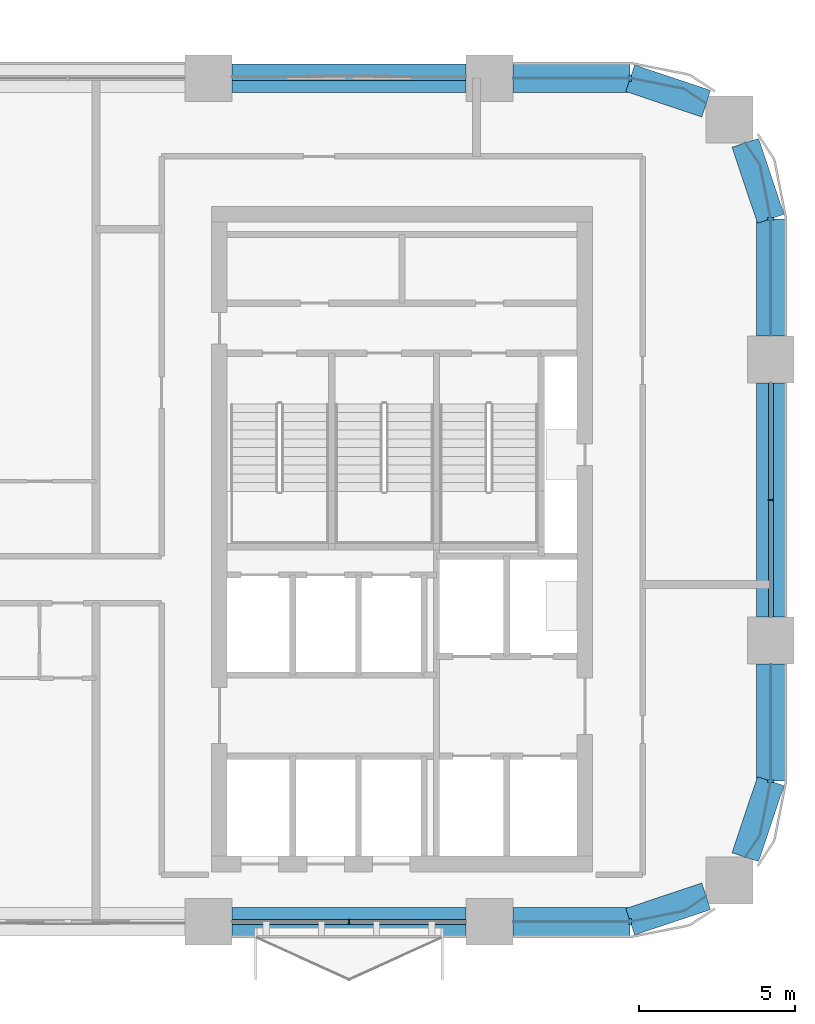
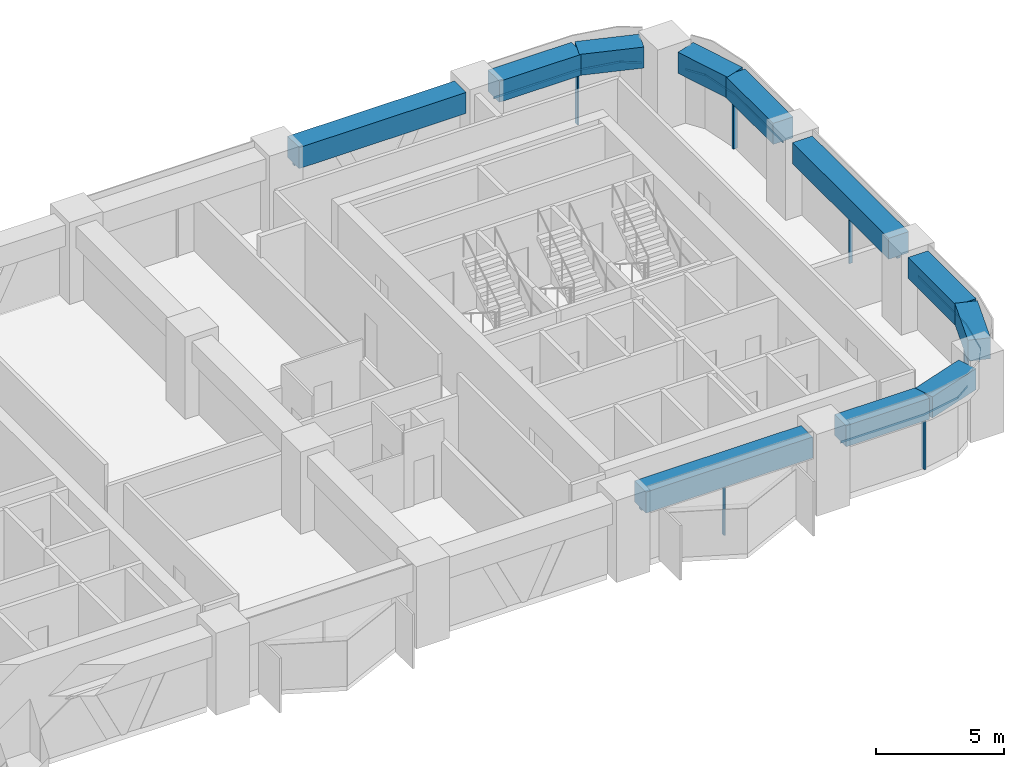
# One storey, part 5 of 13: 13 members, 11 beams, 7 elements without a shape of their own.
"""IFC4 building model written with IfcOpenShell, lengths in metres."""

from ifc_helpers import new_model, si_unit, direction, frame, origin, origin_2d, place, context, subcontext, project, spatial, polyline, rectangle, outline, extrude, material, material_profile, profile_set, type_object, element, aggregate, save


model = new_model("IFC4")

# Units and contexts
model_context = context("Model", 3, precision=1e-05, world=origin(), true_north=direction((0.0, 1.0)))
body_context = subcontext(model_context, "Body", "Model", "MODEL_VIEW")
ifc_project = project(units=[si_unit("LENGTHUNIT", "METRE"), si_unit("AREAUNIT", "SQUARE_METRE"), si_unit("VOLUMEUNIT", "CUBIC_METRE"), si_unit("PLANEANGLEUNIT", "RADIAN"), si_unit("MASSUNIT", "GRAM", prefix="KILO")], contexts=[model_context])

# Site, building, storey
site_placement = place(None, origin())
site = spatial("IfcSite", under=ifc_project, at=site_placement, CompositionType="ELEMENT")
building_placement = place(site_placement, origin())
building = spatial("IfcBuilding", under=site, at=building_placement, Name="Tessera Arch", CompositionType="ELEMENT")
storey_placement = place(building_placement, frame((0.0, 0.0, 189.5)))
storey = spatial("IfcBuildingStorey", under=building, at=storey_placement, Name="L45", CompositionType="ELEMENT", Elevation=189.5)

# Curtain wall, member
ifc_material_1 = material(Name="CW1 curtain wall")
curtain_wall_type_1 = type_object("IfcCurtainWallType", Name="CW1 curtain wall", PredefinedType="NOTDEFINED", material=ifc_material_1)
curtain_wall_1_placement = place(storey_placement, origin())
curtain_wall_1 = element("IfcCurtainWall", 1, at=curtain_wall_1_placement, inside=storey, type_object=curtain_wall_type_1, Name="CW1 curtain wall E54.27/0 L45", PredefinedType="NOTDEFINED")
ifc_material_2 = material(Name="Anodised aluminium pale metal", Category="aluminium")
ifc_material_profile_1 = material_profile(ifc_material_2, rectangle(XDim=0.159912109375, YDim=0.06005859375, at=origin_2d()), Name="AL 60x160")
ifc_profile_set_1 = profile_set([ifc_material_profile_1], Name="Anodised aluminium pale metal")
member_type_1 = type_object("IfcMemberType", Name="CW1 mullion", PredefinedType="MULLION", material=ifc_profile_set_1)
member_1_placement = place(storey_placement, frame((54.0, 40.5, 0.0), z_axis=(0.0, 0.0, 1.0), x_axis=(-1.0, 0.0, 0.0)))
member_1 = element("IfcMember", 2, at=member_1_placement, type_object=member_type_1, Name="CW1 mullion E54.27/0 1", PredefinedType="MULLION", context=body_context, shape_type="SweptSolid", body=[
    extrude(rectangle(XDim=0.159912109375, YDim=0.06005859375, at=origin_2d()), origin(), (0.0, 0.0, 1.0), 2.5),
])

curtain_wall_2_placement = place(storey_placement, origin())
curtain_wall_2 = element("IfcCurtainWall", 3, at=curtain_wall_2_placement, inside=storey, type_object=curtain_wall_type_1, Name="CW1 curtain wall S27.0/4 L45", PredefinedType="NOTDEFINED")
member_2_placement = place(storey_placement, frame((40.5, 27.0, 0.0), z_axis=(0.0, 0.0, 1.0), x_axis=(0.0, 1.0, 0.0)))
member_2 = element("IfcMember", 4, at=member_2_placement, type_object=member_type_1, Name="CW1 mullion S27.0/4 1", PredefinedType="MULLION", context=body_context, shape_type="SweptSolid", body=[
    extrude(rectangle(XDim=0.159912109375, YDim=0.06005859375, at=origin_2d()), origin(), (0.0, 0.0, 1.0), 2.5),
])

# Member
ifc_material_3 = material(Name="Anodised aluminium pale metal", Category="aluminium")
ifc_material_profile_2 = material_profile(ifc_material_3, rectangle(XDim=0.159912109375, YDim=0.10009765625, at=origin_2d()), Name="AL 160x100")
ifc_profile_set_2 = profile_set([ifc_material_profile_2], Name="Anodised aluminium pale metal")
member_type_2 = type_object("IfcMemberType", Name="CW1 transom", PredefinedType="USERDEFINED", material=ifc_profile_set_2)
member_3_placement = place(storey_placement, frame((54.0, 36.75, 2.550048828125), z_axis=(0.0, 1.0, 0.0), x_axis=(-1.0, 0.0, 0.0)))
member_3 = element("IfcMember", 5, at=member_3_placement, type_object=member_type_2, Name="CW1 transom E54.27/0 1.1", ObjectType="TRANSOM", PredefinedType="USERDEFINED", context=body_context, shape_type="SweptSolid", body=[
    extrude(rectangle(XDim=0.159912109375, YDim=0.10009765625, at=origin_2d()), origin(), (0.0, 0.0, 1.0), 7.5),
])

aggregate(curtain_wall_1, [member_1, member_3])

member_4_placement = place(storey_placement, frame((36.75, 27.0, 2.550048828125), z_axis=(1.0, 0.0, 0.0), x_axis=(0.0, 1.0, 0.0)))
member_4 = element("IfcMember", 6, at=member_4_placement, type_object=member_type_2, Name="CW1 transom S27.0/4 1.1", ObjectType="TRANSOM", PredefinedType="USERDEFINED", context=body_context, shape_type="SweptSolid", body=[
    extrude(rectangle(XDim=0.159912109375, YDim=0.10009765625, at=origin_2d()), origin(), (0.0, 0.0, 1.0), 7.5),
])

aggregate(curtain_wall_2, [member_2, member_4])

# Curtain wall, member
ifc_material_4 = material(Name="CW2 curtain wall")
curtain_wall_type_2 = type_object("IfcCurtainWallType", Name="CW2 curtain wall", PredefinedType="NOTDEFINED", material=ifc_material_4)
curtain_wall_3_placement = place(storey_placement, origin())
curtain_wall_3 = element("IfcCurtainWall", 7, at=curtain_wall_3_placement, inside=storey, type_object=curtain_wall_type_2, Name="CW2 curtain wall E54.27/1 L45", PredefinedType="NOTDEFINED")
ifc_material_5 = material(Name="Anodised aluminium pale metal", Category="aluminium")
ifc_material_profile_3 = material_profile(ifc_material_5, rectangle(XDim=0.199951171875, YDim=0.080078125, at=origin_2d()), Name="AL 80x200")
ifc_profile_set_3 = profile_set([ifc_material_profile_3], Name="Anodised aluminium pale metal")
member_type_3 = type_object("IfcMemberType", Name="CW2 mullion", PredefinedType="MULLION", material=ifc_profile_set_3)
member_5_placement = place(storey_placement, frame((54.0, 49.5, 0.0), z_axis=(0.0, 0.0, 1.0), x_axis=(-1.0, 0.0, 0.0)))
member_5 = element("IfcMember", 8, at=member_5_placement, type_object=member_type_3, Name="CW2 mullion E54.27/1 1", PredefinedType="MULLION", context=body_context, shape_type="SweptSolid", body=[
    extrude(rectangle(XDim=0.199951171875, YDim=0.080078125, at=origin_2d()), origin(), (0.0, 0.0, 1.0), 2.5),
])

curtain_wall_4_placement = place(storey_placement, origin())
curtain_wall_4 = element("IfcCurtainWall", 9, at=curtain_wall_4_placement, inside=storey, type_object=curtain_wall_type_2, Name="CW2 curtain wall N54.0/0 L45", PredefinedType="NOTDEFINED")
member_6_placement = place(storey_placement, frame((49.5, 54.0, 0.0), z_axis=(0.0, 0.0, 1.0), x_axis=(0.0, -1.0, 0.0)))
member_6 = element("IfcMember", 10, at=member_6_placement, type_object=member_type_3, Name="CW2 mullion N54.0/0 1", PredefinedType="MULLION", context=body_context, shape_type="SweptSolid", body=[
    extrude(rectangle(XDim=0.199951171875, YDim=0.080078125, at=origin_2d()), origin(), (0.0, 0.0, 1.0), 2.5),
])

curtain_wall_5_placement = place(storey_placement, origin())
curtain_wall_5 = element("IfcCurtainWall", 11, at=curtain_wall_5_placement, inside=storey, type_object=curtain_wall_type_2, Name="CW2 curtain wall S27.0/5 L45", PredefinedType="NOTDEFINED")
member_7_placement = place(storey_placement, frame((49.5, 27.0, 0.0), z_axis=(0.0, 0.0, 1.0), x_axis=(0.0, 1.0, 0.0)))
member_7 = element("IfcMember", 12, at=member_7_placement, type_object=member_type_3, Name="CW2 mullion S27.0/5 1", PredefinedType="MULLION", context=body_context, shape_type="SweptSolid", body=[
    extrude(rectangle(XDim=0.199951171875, YDim=0.080078125, at=origin_2d()), origin(), (0.0, 0.0, 1.0), 2.5),
])

curtain_wall_6_placement = place(storey_placement, origin())
curtain_wall_6 = element("IfcCurtainWall", 13, at=curtain_wall_6_placement, inside=storey, type_object=curtain_wall_type_2, Name="CW2 curtain wall E54.27/2 L45", PredefinedType="NOTDEFINED")
member_8_placement = place(storey_placement, frame((54.0, 31.5, 0.0), z_axis=(0.0, 0.0, 1.0), x_axis=(-1.0, 0.0, 0.0)))
member_8 = element("IfcMember", 14, at=member_8_placement, type_object=member_type_3, Name="CW2 mullion E54.27/2 1", PredefinedType="MULLION", context=body_context, shape_type="SweptSolid", body=[
    extrude(rectangle(XDim=0.199951171875, YDim=0.080078125, at=origin_2d()), origin(), (0.0, 0.0, 1.0), 2.5),
])

# Member
ifc_material_6 = material(Name="Anodised aluminium pale metal", Category="aluminium")
ifc_material_profile_4 = material_profile(ifc_material_6, rectangle(XDim=0.199951171875, YDim=0.10009765625, at=origin_2d()), Name="AL 200x100")
ifc_profile_set_4 = profile_set([ifc_material_profile_4], Name="Anodised aluminium pale metal")
member_type_4 = type_object("IfcMemberType", Name="CW2 transom", PredefinedType="USERDEFINED", material=ifc_profile_set_4)
member_9_placement = place(storey_placement, frame((0.0, 0.0, 2.5)))
member_9 = element("IfcMember", 15, at=member_9_placement, type_object=member_type_4, Name="CW2 transom E54.27/1 1", ObjectType="TRANSOM", PredefinedType="USERDEFINED", context=body_context, shape_type="SweptSolid", body=[
    extrude(outline(polyline([(53.989990234375, 49.4990234375), (53.989990234375, 45.75), (54.010009765625, 45.75), (54.010009765625, 49.5009765625), (53.6669921875, 51.22607421875), (53.19140625, 51.9375), (53.1748046875, 51.926513671875), (53.648193359375, 51.21826171875), (53.989990234375, 49.4990234375)])), origin(), (0.0, 0.0, 1.0), 0.10009765625),
])

aggregate(curtain_wall_3, [member_5, member_9])

member_10_placement = place(storey_placement, frame((0.0, 0.0, 2.5)))
member_10 = element("IfcMember", 16, at=member_10_placement, type_object=member_type_4, Name="CW2 transom N54.0/0 1", ObjectType="TRANSOM", PredefinedType="USERDEFINED", context=body_context, shape_type="SweptSolid", body=[
    extrude(outline(polyline([(51.21826171875, 53.648193359375), (51.926513671875, 53.1748046875), (51.9375, 53.19140625), (51.22607421875, 53.6669921875), (49.5009765625, 54.010009765625), (45.75, 54.010009765625), (45.75, 53.989990234375), (49.4990234375, 53.989990234375), (51.21826171875, 53.648193359375)])), origin(), (0.0, 0.0, 1.0), 0.10009765625),
])

aggregate(curtain_wall_4, [member_6, member_10])

member_11_placement = place(storey_placement, frame((0.0, 0.0, 2.5)))
member_11 = element("IfcMember", 17, at=member_11_placement, type_object=member_type_4, Name="CW2 transom S27.0/5 1", ObjectType="TRANSOM", PredefinedType="USERDEFINED", context=body_context, shape_type="SweptSolid", body=[
    extrude(outline(polyline([(49.4990234375, 27.010009765625), (45.75, 27.010009765625), (45.75, 26.989990234375), (49.5009765625, 26.989990234375), (51.22607421875, 27.3330078125), (51.9375, 27.80859375), (51.926513671875, 27.8251953125), (51.21826171875, 27.351806640625), (49.4990234375, 27.010009765625)])), origin(), (0.0, 0.0, 1.0), 0.10009765625),
])

aggregate(curtain_wall_5, [member_7, member_11])

member_12_placement = place(storey_placement, frame((0.0, 0.0, 2.5)))
member_12 = element("IfcMember", 18, at=member_12_placement, type_object=member_type_4, Name="CW2 transom E54.27/2 1", ObjectType="TRANSOM", PredefinedType="USERDEFINED", context=body_context, shape_type="SweptSolid", body=[
    extrude(outline(polyline([(53.648193359375, 29.78173828125), (53.1748046875, 29.073486328125), (53.19140625, 29.0625), (53.6669921875, 29.77392578125), (54.010009765625, 31.4990234375), (54.010009765625, 35.25), (53.989990234375, 35.25), (53.989990234375, 31.5009765625), (53.648193359375, 29.78173828125)])), origin(), (0.0, 0.0, 1.0), 0.10009765625),
])

aggregate(curtain_wall_6, [member_8, member_12])

# Curtain wall, member
ifc_material_7 = material(Name="CW3 curtain wall")
curtain_wall_type_3 = type_object("IfcCurtainWallType", Name="CW3 curtain wall", PredefinedType="NOTDEFINED", material=ifc_material_7)
curtain_wall_7_placement = place(storey_placement, origin())
curtain_wall_7 = element("IfcCurtainWall", 19, at=curtain_wall_7_placement, inside=storey, type_object=curtain_wall_type_3, Name="CW3 curtain wall N54.0/1 L45", PredefinedType="NOTDEFINED")
ifc_material_8 = material(Name="Anodised aluminium pale metal", Category="aluminium")
ifc_material_profile_5 = material_profile(ifc_material_8, rectangle(XDim=0.139892578125, YDim=0.10009765625, at=origin_2d()), Name="AL 140x100")
ifc_profile_set_5 = profile_set([ifc_material_profile_5], Name="Anodised aluminium pale metal")
member_type_5 = type_object("IfcMemberType", Name="CW3 transom", PredefinedType="USERDEFINED", material=ifc_profile_set_5)
member_13_placement = place(storey_placement, frame((44.25, 54.0, 2.550048828125), z_axis=(-1.0, 0.0, 0.0), x_axis=(0.0, -1.0, 0.0)))
member_13 = element("IfcMember", 20, at=member_13_placement, type_object=member_type_5, Name="CW3 transom N54.0/1 1.1", ObjectType="TRANSOM", PredefinedType="USERDEFINED", context=body_context, shape_type="SweptSolid", body=[
    extrude(rectangle(XDim=0.139892578125, YDim=0.10009765625, at=origin_2d()), origin(), (0.0, 0.0, 1.0), 7.5),
])
aggregate(curtain_wall_7, [member_13])

# Beams
ifc_material_9 = material(Name="Concrete C70/85", Category="concrete")
ifc_material_profile_6 = material_profile(ifc_material_9, rectangle(XDim=0.89990234375, YDim=1.0, at=origin_2d()), Name="RC spandrel beam 900 x 1000 Concrete C70/85")
ifc_profile_set_6 = profile_set([ifc_material_profile_6], Name="Concrete C70/85")
beam_type = type_object("IfcBeamType", Name="RC spandrel beam 900 x 1000 Concrete C70/85", PredefinedType="BEAM", material=ifc_profile_set_6)
beam_1_placement = place(storey_placement, frame((54.0, 36.75, 3.10009765625), z_axis=(0.0, 1.0, 0.0), x_axis=(-1.0, 0.0, 0.0)))
element("IfcBeam", 21, at=beam_1_placement, inside=storey, type_object=beam_type, Name="Spandrel beam L45 E54.27/0", PredefinedType="BEAM", context=body_context, shape_type="SweptSolid", body=[
    extrude(rectangle(XDim=0.89990234375, YDim=1.0, at=origin_2d()), origin(), (0.0, 0.0, 1.0), 7.5),
])
beam_2_placement = place(storey_placement, frame((54.0, 45.75, 3.10009765625), z_axis=(0.0, 1.0, 0.0), x_axis=(-1.0, 0.0, 0.0)))
element("IfcBeam", 22, at=beam_2_placement, inside=storey, type_object=beam_type, Name="Spandrel beam L45 E54.27/1.1", PredefinedType="BEAM", context=body_context, shape_type="SweptSolid", body=[
    extrude(rectangle(XDim=0.89990234375, YDim=1.0, at=origin_2d()), origin(), (0.0, 0.0, 1.0), 3.75),
])
for number, where, z_axis, x_axis, name in (
    (23, (54.0, 49.5, 3.10009765625), (-0.31842525032, 0.947947973234, 0.0), (-0.947947973234, -0.31842525032, 0.0), "Spandrel beam L45 E54.27/1.2"),
    (24, (51.931884765625, 53.18310546875, 3.10009765625), (-0.947947973234, 0.31842525032, 0.0), (-0.31842525032, -0.947947973234, 0.0), "Spandrel beam L45 N54.0/0.1"),
):
    element("IfcBeam", number, at=place(storey_placement, frame(where, z_axis=z_axis, x_axis=x_axis)), inside=storey, type_object=beam_type, Name=name, PredefinedType="BEAM", context=body_context, shape_type="SweptSolid", body=[
        extrude(rectangle(XDim=0.89990234375, YDim=1.0, at=origin_2d()), origin(), (0.0, 0.0, 1.0), 2.5654296875),
    ])
beam_3_placement = place(storey_placement, frame((49.5, 54.0, 3.10009765625), z_axis=(-1.0, 0.0, 0.0), x_axis=(0.0, -1.0, 0.0)))
element("IfcBeam", 25, at=beam_3_placement, inside=storey, type_object=beam_type, Name="Spandrel beam L45 N54.0/0.2", PredefinedType="BEAM", context=body_context, shape_type="SweptSolid", body=[
    extrude(rectangle(XDim=0.89990234375, YDim=1.0, at=origin_2d()), origin(), (0.0, 0.0, 1.0), 3.75),
])
for number, where, z_axis, x_axis, name in (
    (26, (44.25, 54.0, 3.10009765625), (-1.0, 0.0, 0.0), (0.0, -1.0, 0.0), "Spandrel beam L45 N54.0/1"),
    (27, (36.75, 27.0, 3.10009765625), (1.0, 0.0, 0.0), (0.0, 1.0, 0.0), "Spandrel beam L45 S27.0/4"),
):
    element("IfcBeam", number, at=place(storey_placement, frame(where, z_axis=z_axis, x_axis=x_axis)), inside=storey, type_object=beam_type, Name=name, PredefinedType="BEAM", context=body_context, shape_type="SweptSolid", body=[
        extrude(rectangle(XDim=0.89990234375, YDim=1.0, at=origin_2d()), origin(), (0.0, 0.0, 1.0), 7.5),
    ])
beam_4_placement = place(storey_placement, frame((45.75, 27.0, 3.10009765625), z_axis=(1.0, 0.0, 0.0), x_axis=(0.0, 1.0, 0.0)))
element("IfcBeam", 28, at=beam_4_placement, inside=storey, type_object=beam_type, Name="Spandrel beam L45 S27.0/5.1", PredefinedType="BEAM", context=body_context, shape_type="SweptSolid", body=[
    extrude(rectangle(XDim=0.89990234375, YDim=1.0, at=origin_2d()), origin(), (0.0, 0.0, 1.0), 3.75),
])
for number, where, z_axis, x_axis, name in (
    (29, (49.5, 27.0, 3.10009765625), (0.947947973234, 0.31842525032, 0.0), (-0.31842525032, 0.947947973234, 0.0), "Spandrel beam L45 S27.0/5.2"),
    (30, (53.18310546875, 29.068115234375, 3.10009765625), (0.31842525032, 0.947947973234, 0.0), (-0.947947973234, 0.31842525032, 0.0), "Spandrel beam L45 E54.27/2.1"),
):
    element("IfcBeam", number, at=place(storey_placement, frame(where, z_axis=z_axis, x_axis=x_axis)), inside=storey, type_object=beam_type, Name=name, PredefinedType="BEAM", context=body_context, shape_type="SweptSolid", body=[
        extrude(rectangle(XDim=0.89990234375, YDim=1.0, at=origin_2d()), origin(), (0.0, 0.0, 1.0), 2.5654296875),
    ])
beam_5_placement = place(storey_placement, frame((54.0, 31.5, 3.10009765625), z_axis=(0.0, 1.0, 0.0), x_axis=(-1.0, 0.0, 0.0)))
element("IfcBeam", 31, at=beam_5_placement, inside=storey, type_object=beam_type, Name="Spandrel beam L45 E54.27/2.2", PredefinedType="BEAM", context=body_context, shape_type="SweptSolid", body=[
    extrude(rectangle(XDim=0.89990234375, YDim=1.0, at=origin_2d()), origin(), (0.0, 0.0, 1.0), 3.75),
])

save(model, "model.ifc")
